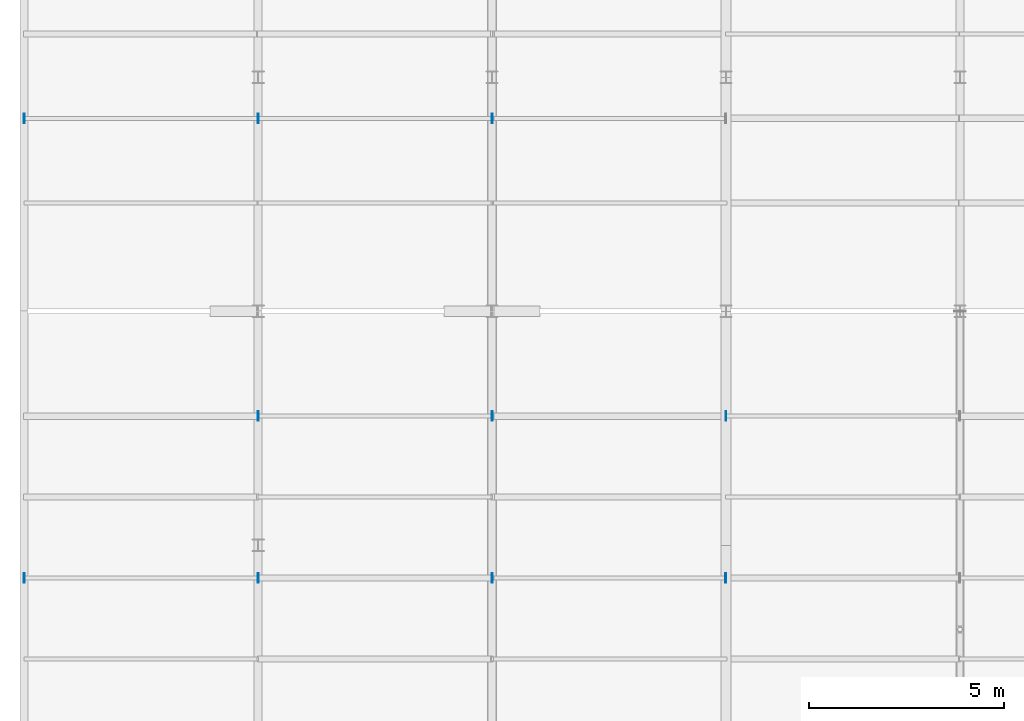
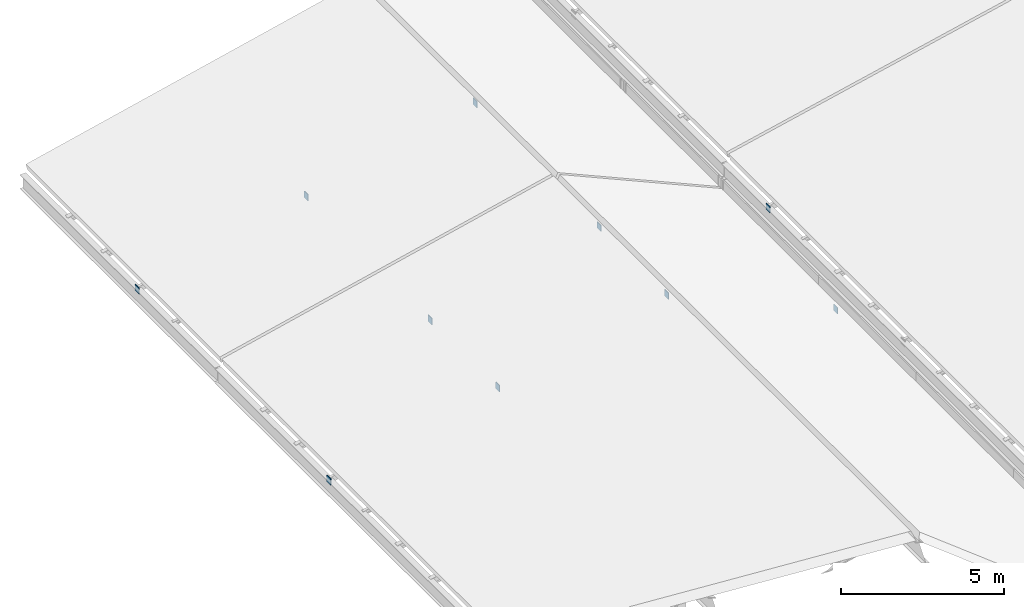
# One storey, part 45 of 74: 10 plates.
"""IFC4 building model written with IfcOpenShell, lengths in metres."""

from ifc_helpers import new_model, si_unit, direction, frame, origin, origin_2d, place, context, subcontext, project, spatial, rectangle, extrude, material, layer, layer_set, type_object, element, save


model = new_model("IFC4")

# Units and contexts
model_context = context("Model", 3, precision=1e-05, world=origin(), true_north=direction((0.0, 1.0)))
body_context = subcontext(model_context, "Body", "Model", "MODEL_VIEW")
ifc_project = project(units=[si_unit("LENGTHUNIT", "METRE"), si_unit("AREAUNIT", "SQUARE_METRE"), si_unit("VOLUMEUNIT", "CUBIC_METRE"), si_unit("PLANEANGLEUNIT", "RADIAN"), si_unit("MASSUNIT", "GRAM", prefix="KILO")], contexts=[model_context])

# Site, building, storey
site_placement = place(None, origin())
site = spatial("IfcSite", under=ifc_project, at=site_placement, CompositionType="ELEMENT")
building_placement = place(site_placement, origin())
building = spatial("IfcBuilding", under=site, at=building_placement, Name="Siltcreek Boulevard Central Fire Station", CompositionType="ELEMENT")
storey_placement = place(building_placement, frame((0.0, 0.0, 25.199951171875)))
storey = spatial("IfcBuildingStorey", under=building, at=storey_placement, Name="RF", CompositionType="ELEMENT", Elevation=25.199951171875)

# Plates
ifc_material = material(Name="Structural steel ASTM A572 Gr50", Category="steel")
ifc_layer = layer(ifc_material, 0.02490234375, Name="Structural steel ASTM A572 Gr50")
ifc_layer_set = layer_set([ifc_layer], Name="Structural steel ASTM A572 Gr50")
plate_type = type_object("IfcPlateType", Name="PL_CAP25", PredefinedType="USERDEFINED", material=ifc_layer_set)
for number, where, z_axis, x_axis, name in (
    (1, (1.7998046875, 35.160888671875, -15.59326171875), (0.0, 0.0, 1.0), (1.0, 0.0, 0.0), "Sloped roof purlin PR-0191 sealed end cap 1"),
    (2, (7.80029296875, 35.160888671875, -14.193359375), (0.0, 0.0, 1.0), (1.0, 0.0, 0.0), "Sloped roof purlin PR-0191 sealed end cap 2"),
    (3, (7.7998046875, 39.313720703125, -14.193359375), (0.0, 0.0, 1.0), (1.0, 0.0, 0.0), "Sloped roof purlin PR-0203 sealed end cap 1"),
    (4, (13.80029296875, 39.313720703125, -12.79345703125), (0.0, 0.0, 1.0), (1.0, 0.0, 0.0), "Sloped roof purlin PR-0203 sealed end cap 2"),
    (5, (13.80029296875, 35.160888671875, -12.81689453125), (0.0, 0.0, 1.0), (1.0, 0.0, 0.0), "Sloped roof purlin PR-0211 sealed end cap 1"),
    (6, (19.799560546875, 35.160888671875, -15.46630859375), (0.0, 0.0, 1.0), (1.0, 0.0, 0.0), "Sloped roof purlin PR-0211 sealed end cap 2"),
    (7, (1.7998046875, 46.946044921875, -15.57275390625), (0.0, 0.0, 1.0), (1.0, 0.0, 0.0), "Sloped roof purlin PR-0215 sealed end cap 1"),
    (8, (7.80029296875, 46.946044921875, -14.1728515625), (0.0, 0.0, 1.0), (1.0, 0.0, 0.0), "Sloped roof purlin PR-0215 sealed end cap 2"),
    (9, (13.80029296875, 46.946044921875, -12.77294921875), (0.0, 0.0, 1.0), (1.0, 0.0, 0.0), "Sloped roof purlin PR-0219 sealed end cap 2"),
    (10, (19.7998046875, 39.313720703125, -14.19287109375), (0.0, 0.0, 1.0), (1.0, 0.0, 0.0), "Sloped roof purlin PR-0235 sealed end cap 1"),
):
    element("IfcPlate", number, at=place(storey_placement, frame(where, z_axis=z_axis, x_axis=x_axis)), inside=storey, type_object=plate_type, Name=name, ObjectType="END CAP", PredefinedType="USERDEFINED", context=body_context, shape_type="SweptSolid", body=[
        extrude(rectangle(XDim=0.02490234375, YDim=0.239990234375, at=origin_2d()), origin(), (0.0, 0.0, 1.0), 0.239990234375),
    ])

save(model, "model.ifc")
